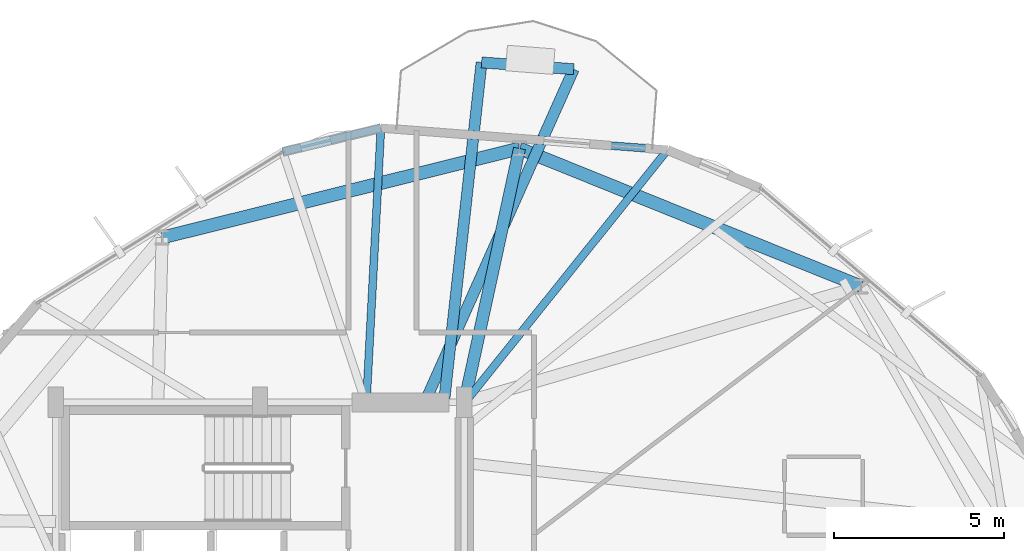
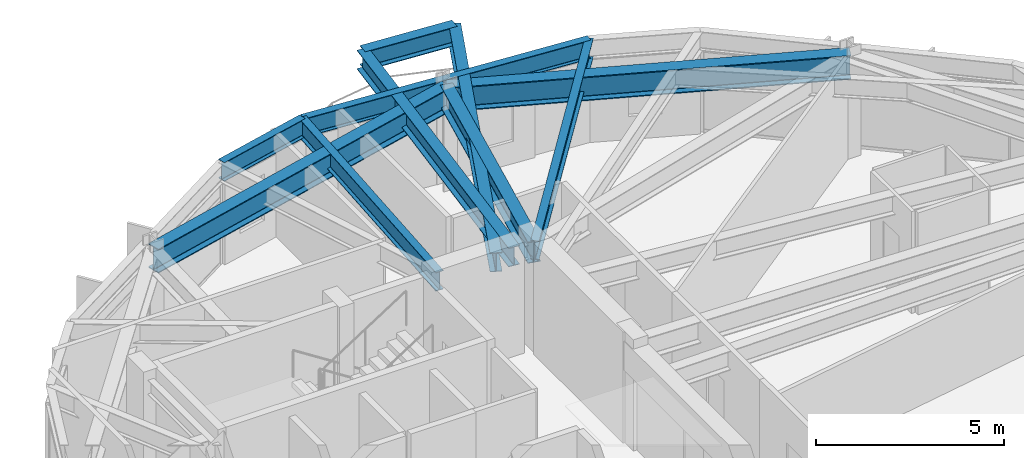
# One storey, part 12 of 21: 10 beams.
"""IFC4 building model written with IfcOpenShell, lengths in metres."""

import ifcopenshell
import ifcopenshell.guid

model = None  # the IFC model being written
_history = None  # IfcOwnerHistory: only IFC2X3 demands one
_inside = {}  # id of a spatial element -> (the spatial element, [elements in it])
_under = {}  # id of a project, library or spatial element -> (it, [spatial elements below it])
_declared = {}  # id of a project -> (the project, [libraries it declares])
_typed = {}  # id of a type object -> (the type object, [elements of that type])
_made_of = {}  # id of a material, layer set ... -> (it, [elements and type objects made of it])


def new_model(schema):
    """Start an empty IFC model of exactly this schema.

    Asked for "IFC4X3", IfcOpenShell would pick the latest addendum, in which some entities
    have other attributes; the version numbers below select the first issue.
    IFC2X3 requires an IfcOwnerHistory on every rooted entity: one is made here for all.
    """
    global model, _history
    if schema == "IFC4X3":
        model = ifcopenshell.file(schema_version=(4, 3, 0, 0))
    else:
        model = ifcopenshell.file(schema=schema)
    _inside.clear()
    _under.clear()
    _declared.clear()
    _typed.clear()
    _made_of.clear()
    _history = None
    if model.schema == "IFC2X3":
        org = make("IfcOrganization", Name="unknown")
        user = make(
            "IfcPersonAndOrganization",
            ThePerson=make("IfcPerson", FamilyName="unknown"),
            TheOrganization=org,
        )
        app = make(
            "IfcApplication",
            ApplicationDeveloper=org,
            Version="unknown",
            ApplicationFullName="unknown",
            ApplicationIdentifier="unknown",
        )
        _history = make(
            "IfcOwnerHistory",
            OwningUser=user,
            OwningApplication=app,
            ChangeAction="ADDED",
            CreationDate=0,
        )
    return model


def make(cls, **values):
    """One entity of the class cls with the attributes given. An attribute that is None is left unset."""
    return model.create_entity(
        cls, **{name: value for name, value in values.items() if value is not None}
    )


def rooted(cls, **values):
    """An entity with a GlobalId (a new one), such as an element, a storey or a relation."""
    return make(cls, GlobalId=ifcopenshell.guid.new(), OwnerHistory=_history, **values)


def si_unit(unit_type, name, prefix=None):
    """IfcSIUnit, for example si_unit("LENGTHUNIT", "METRE", prefix="MILLI")."""
    return make("IfcSIUnit", UnitType=unit_type, Prefix=prefix, Name=name)


def assignment(units):
    """IfcUnitAssignment: the units of a project."""
    return None if units is None else make("IfcUnitAssignment", Units=units)


def point(xyz):
    """IfcCartesianPoint."""
    return None if xyz is None else make("IfcCartesianPoint", Coordinates=xyz)


def direction(xyz):
    """IfcDirection."""
    return None if xyz is None else make("IfcDirection", DirectionRatios=xyz)


def frame(location, z_axis=None, x_axis=None):
    """IfcAxis2Placement3D, a coordinate frame: its origin and axes. An axis left out is left unset."""
    return make(
        "IfcAxis2Placement3D",
        Location=point(location),
        Axis=direction(z_axis),
        RefDirection=direction(x_axis),
    )


def frame_2d(location, x_axis=None):
    """IfcAxis2Placement2D, a coordinate frame in the plane: its origin and x axis."""
    return make(
        "IfcAxis2Placement2D", Location=point(location), RefDirection=direction(x_axis)
    )


def origin():
    """The frame at (0, 0, 0) with its axes left unset."""
    return frame((0.0, 0.0, 0.0))


def origin_2d():
    """The frame at (0, 0) in the plane with its x axis left unset."""
    return frame_2d((0.0, 0.0))


def place(relative_to, where):
    """IfcLocalPlacement: puts the frame where relative to a parent placement (None: the world)."""
    return make(
        "IfcLocalPlacement", PlacementRelTo=relative_to, RelativePlacement=where
    )


def context(
    kind, dimensions, precision=None, world=None, true_north=None, identifier=None
):
    """IfcGeometricRepresentationContext, for example the 3D "Model" context."""
    return make(
        "IfcGeometricRepresentationContext",
        ContextIdentifier=identifier,
        ContextType=kind,
        CoordinateSpaceDimension=dimensions,
        Precision=precision,
        WorldCoordinateSystem=world,
        TrueNorth=true_north,
    )


def subcontext(parent, identifier, kind, view, scale=None):
    """IfcGeometricRepresentationSubContext, for example "Body" below "Model"."""
    return make(
        "IfcGeometricRepresentationSubContext",
        ContextIdentifier=identifier,
        ContextType=kind,
        ParentContext=parent,
        TargetScale=scale,
        TargetView=view,
    )


def project(units=None, contexts=None):
    """IfcProject with its units and contexts."""
    return rooted(
        "IfcProject",
        Name="project",
        RepresentationContexts=contexts,
        UnitsInContext=assignment(units),
    )


def spatial(cls, under=None, at=None, **own):
    """A site, building, storey or space (cls), placed at a placement, below another one or the project."""
    s = rooted(cls, ObjectPlacement=at, **own)
    if under is not None:
        _under.setdefault(under.id(), (under, []))[1].append(s)
    return s


def profile(cls, at=None, kind="AREA", **sizes):
    """A parametric profile (cls). Its sizes go by their IFC names, for example OverallWidth=200.0."""
    return make(cls, ProfileType=kind, Position=at, **sizes)


def i_section(**sizes):
    """IfcIShapeProfileDef."""
    return profile("IfcIShapeProfileDef", **sizes)


def extrude(swept, where, along, depth):
    """IfcExtrudedAreaSolid: the profile swept, set in the frame where, extruded along a direction by depth."""
    return make(
        "IfcExtrudedAreaSolid",
        SweptArea=swept,
        Position=where,
        ExtrudedDirection=direction(along),
        Depth=depth,
    )


def shape(context_of_items, identifier, shape_type, items):
    """IfcShapeRepresentation: the items that make up one representation, for example the "Body"."""
    return make(
        "IfcShapeRepresentation",
        ContextOfItems=context_of_items,
        RepresentationIdentifier=identifier,
        RepresentationType=shape_type,
        Items=items,
    )


def material(Name=None, Category=None):
    """IfcMaterial."""
    return make("IfcMaterial", Name=Name, Category=Category)


def material_profile(
    of_material, cross_section, Name=None, Category=None, Priority=None
):
    """IfcMaterialProfile: a cross section and its material."""
    return make(
        "IfcMaterialProfile",
        Name=Name,
        Material=of_material,
        Profile=cross_section,
        Priority=Priority,
        Category=Category,
    )


def profile_set(profiles, Name=None, composite=None):
    """IfcMaterialProfileSet."""
    return make(
        "IfcMaterialProfileSet",
        Name=Name,
        MaterialProfiles=profiles,
        CompositeProfile=composite,
    )


def made_of(thing, what):
    """Note that an element or type object is made of a material, layer set ...; save() writes the relation."""
    if what is not None:
        _made_of.setdefault(what.id(), (what, []))[1].append(thing)
    return thing


def type_object(cls, material=None, **own):
    """A type object (cls), such as IfcWallType, which elements share."""
    return made_of(rooted(cls, **own), material)


def element(
    cls,
    number,
    at=None,
    inside=None,
    cuts=None,
    type_object=None,
    material=None,
    context=None,
    identifier="Body",
    shape_type=None,
    held_by="IfcProductDefinitionShape",
    body=None,
    shapes=None,
    **own,
):
    """One element of the class cls, such as IfcWall. Its Tag is "e" and its number.

    at: its placement. inside: the storey or other place that contains it. cuts: it is an
    opening in that element (IfcRelVoidsElement). A single representation is given by context,
    identifier, shape_type and body (its items); several are given by shapes. held_by: the class
    of the entity that holds the representations. save() writes the other relations.
    """
    e = rooted(cls, Tag="e%d" % number, ObjectPlacement=at, **own)
    if body is not None:
        shapes = [shape(context, identifier, shape_type, body)]
    if shapes is not None:
        e.Representation = make(held_by, Representations=shapes)
    if inside is not None:
        _inside.setdefault(inside.id(), (inside, []))[1].append(e)
    if cuts is not None:
        rooted(
            "IfcRelVoidsElement", RelatingBuildingElement=cuts, RelatedOpeningElement=e
        )
    if type_object is not None:
        _typed.setdefault(type_object.id(), (type_object, []))[1].append(e)
    return made_of(e, material)


def aggregate(whole, parts):
    """IfcRelAggregates: a whole, such as a stair, and the parts it consists of."""
    return rooted("IfcRelAggregates", RelatingObject=whole, RelatedObjects=parts)


def save(model, path):
    """Write the relations noted so far, then the file.

    IfcRelAggregates (storeys below a building ...), IfcRelContainedInSpatialStructure (elements
    in a storey), IfcRelDefinesByType, IfcRelAssociatesMaterial and IfcRelDeclares: one each for
    every whole, place, type object, material and project.
    """
    for whole, parts in _under.values():
        aggregate(whole, parts)
    for where, things in _inside.values():
        rooted(
            "IfcRelContainedInSpatialStructure",
            RelatedElements=things,
            RelatingStructure=where,
        )
    for kind, things in _typed.values():
        rooted("IfcRelDefinesByType", RelatedObjects=things, RelatingType=kind)
    for what, things in _made_of.values():
        rooted("IfcRelAssociatesMaterial", RelatedObjects=things, RelatingMaterial=what)
    for by, libraries in _declared.values():
        rooted("IfcRelDeclares", RelatingContext=by, RelatedDefinitions=libraries)
    model.write(path)


model = new_model("IFC4")

# Units and contexts
model_context = context("Model", 3, precision=1e-05, world=origin(), true_north=direction((0.0, 1.0)))
body_context = subcontext(model_context, "Body", "Model", "MODEL_VIEW")
ifc_project = project(units=[si_unit("LENGTHUNIT", "METRE"), si_unit("AREAUNIT", "SQUARE_METRE"), si_unit("VOLUMEUNIT", "CUBIC_METRE"), si_unit("PLANEANGLEUNIT", "RADIAN"), si_unit("MASSUNIT", "GRAM", prefix="KILO")], contexts=[model_context])

# Site, building, storey
site_placement = place(None, origin())
site = spatial("IfcSite", under=ifc_project, at=site_placement, CompositionType="ELEMENT")
building_placement = place(site_placement, origin())
building = spatial("IfcBuilding", under=site, at=building_placement, Name="Soratama Intermodal Tower", CompositionType="ELEMENT")
storey_placement = place(building_placement, frame((0.0, 0.0, 149.800048828125)))
storey = spatial("IfcBuildingStorey", under=building, at=storey_placement, Name="L36", CompositionType="ELEMENT", Elevation=149.800048828125)

# Beams
ifc_material_1 = material(Name="Structural steel ASTM A992 Grade 50", Category="steel")
ifc_material_profile_1 = material_profile(ifc_material_1, i_section(OverallWidth=0.324951171875, OverallDepth=0.615966796875, WebThickness=0.013916015625, FlangeThickness=0.021484375, FilletRadius=0.013916015625, at=origin_2d()), Name="W24X117")
ifc_profile_set_1 = profile_set([ifc_material_profile_1], Name="Structural steel ASTM A992 Grade 50")
beam_type_1 = type_object("IfcBeamType", Name="BM-CANT-W24X117", PredefinedType="BEAM", material=ifc_profile_set_1)
beam_1_placement = place(storey_placement, frame((47.81396484375, 44.784912109375, 2.991943359375), z_axis=(-0.997309559659, 0.073305130873, 0.0), x_axis=(-0.073305130873, -0.997309559659, 0.0)))
element("IfcBeam", 1, at=beam_1_placement, inside=storey, type_object=beam_type_1, Name="BM-L36-CBHDR-2", PredefinedType="BEAM", context=body_context, shape_type="SweptSolid", body=[
    extrude(i_section(OverallWidth=0.324951171875, OverallDepth=0.615966796875, WebThickness=0.013916015625, FlangeThickness=0.021484375, FilletRadius=0.013916015625, at=origin_2d()), origin(), (0.0, 0.0, 1.0), 2.71435546875),
])
beam_2_placement = place(storey_placement, frame((43.4541015625, 35.037109375, 2.991943359375), z_axis=(0.408288353231, 0.912853011506, 0.0), x_axis=(-0.912853011506, 0.408288353231, 0.0)))
element("IfcBeam", 2, at=beam_2_placement, inside=storey, type_object=beam_type_1, Name="BM-L36-CANT-2-1", PredefinedType="BEAM", context=body_context, shape_type="SweptSolid", body=[
    extrude(i_section(OverallWidth=0.324951171875, OverallDepth=0.615966796875, WebThickness=0.013916015625, FlangeThickness=0.021484375, FilletRadius=0.013916015625, at=origin_2d()), origin(), (0.0, 0.0, 1.0), 10.678466796875),
])
beam_3_placement = place(storey_placement, frame((44.008056640625, 35.0400390625, 2.991943359375), z_axis=(0.109839575925, 0.993949328467, 0.0), x_axis=(-0.993949328467, 0.109839575925, 0.0)))
element("IfcBeam", 3, at=beam_3_placement, inside=storey, type_object=beam_type_1, Name="BM-L36-CANT-2-2", PredefinedType="BEAM", context=body_context, shape_type="SweptSolid", body=[
    extrude(i_section(OverallWidth=0.324951171875, OverallDepth=0.615966796875, WebThickness=0.013916015625, FlangeThickness=0.021484375, FilletRadius=0.013916015625, at=origin_2d()), origin(), (0.0, 0.0, 1.0), 10.00439453125),
])
ifc_material_2 = material(Name="Structural steel ASTM A992 Grade 50", Category="steel")
ifc_material_profile_2 = material_profile(ifc_material_2, i_section(OverallWidth=0.35498046875, OverallDepth=0.695068359375, WebThickness=0.015380859375, FlangeThickness=0.02490234375, FilletRadius=0.01611328125, at=origin_2d()), Name="W27X146")
ifc_profile_set_2 = profile_set([ifc_material_profile_2], Name="Structural steel ASTM A992 Grade 50")
beam_type_2 = type_object("IfcBeamType", Name="BM-RING-W27X146", PredefinedType="BEAM", material=ifc_profile_set_2)
beam_4_placement = place(storey_placement, frame((44.60009765625, 35.0, 2.952392578125), z_axis=(0.212399095304, 0.977183004515, 0.0), x_axis=(-0.977183004515, 0.212399095304, 0.0)))
element("IfcBeam", 4, at=beam_4_placement, inside=storey, type_object=beam_type_2, Name="BM-L36-RAD-03", PredefinedType="BEAM", context=body_context, shape_type="SweptSolid", body=[
    extrude(i_section(OverallWidth=0.35498046875, OverallDepth=0.695068359375, WebThickness=0.015380859375, FlangeThickness=0.02490234375, FilletRadius=0.01611328125, at=origin_2d()), origin(), (0.0, 0.0, 1.0), 7.631103515625),
])
ifc_material_3 = material(Name="Structural steel ASTM A992 Grade 50", Category="steel")
ifc_material_profile_3 = material_profile(ifc_material_3, i_section(OverallWidth=0.382080078125, OverallDepth=0.779052734375, WebThickness=0.01806640625, FlangeThickness=0.030029296875, FilletRadius=0.01806640625, at=origin_2d()), Name="W30X191")
ifc_profile_set_3 = profile_set([ifc_material_profile_3], Name="Structural steel ASTM A992 Grade 50")
beam_type_3 = type_object("IfcBeamType", Name="BM-RING-W30X191", PredefinedType="BEAM", material=ifc_profile_set_3)
beam_5_placement = place(storey_placement, frame((56.2490234375, 38.406005859375, 2.910400390625), z_axis=(-0.927202491827, 0.374560461275, 0.0), x_axis=(-0.374560461275, -0.927202491827, 0.0)))
element("IfcBeam", 5, at=beam_5_placement, inside=storey, type_object=beam_type_3, Name="BM-L36-RING-02", PredefinedType="BEAM", context=body_context, shape_type="SweptSolid", body=[
    extrude(i_section(OverallWidth=0.382080078125, OverallDepth=0.779052734375, WebThickness=0.01806640625, FlangeThickness=0.030029296875, FilletRadius=0.01806640625, at=origin_2d()), origin(), (0.0, 0.0, 1.0), 10.8154296875),
])
beam_6_placement = place(storey_placement, frame((46.220947265625, 42.45703125, 2.910400390625), z_axis=(-0.970310893227, -0.241861056155, 0.0), x_axis=(0.241861056155, -0.970310893227, 0.0)))
element("IfcBeam", 6, at=beam_6_placement, inside=storey, type_object=beam_type_3, Name="BM-L36-RING-03", PredefinedType="BEAM", context=body_context, shape_type="SweptSolid", body=[
    extrude(i_section(OverallWidth=0.382080078125, OverallDepth=0.779052734375, WebThickness=0.01806640625, FlangeThickness=0.030029296875, FilletRadius=0.01806640625, at=origin_2d()), origin(), (0.0, 0.0, 1.0), 10.81591796875),
])
ifc_material_4 = material(Name="Structural steel ASTM A992 Grade 50", Category="steel")
ifc_material_profile_4 = material_profile(ifc_material_4, i_section(OverallWidth=0.22900390625, OverallDepth=0.612060546875, WebThickness=0.011962890625, FlangeThickness=0.01953125, FilletRadius=0.012939453125, at=origin_2d()), Name="W24X84")
ifc_profile_set_4 = profile_set([ifc_material_profile_4], Name="Structural steel ASTM A992 Grade 50")
beam_type_4 = type_object("IfcBeamType", Name="BM-SPN-W24X84", PredefinedType="SPANDREL", material=ifc_profile_set_4)
beam_7_placement = place(storey_placement, frame((50.56591796875, 42.4140625, 2.993896484375), z_axis=(-0.997075208757, 0.076426618937, 0.0), x_axis=(-0.076426618937, -0.997075208757, 0.0)))
element("IfcBeam", 7, at=beam_7_placement, inside=storey, type_object=beam_type_4, Name="BS-L36-F02", PredefinedType="SPANDREL", context=body_context, shape_type="SweptSolid", body=[
    extrude(i_section(OverallWidth=0.22900390625, OverallDepth=0.612060546875, WebThickness=0.011962890625, FlangeThickness=0.01953125, FilletRadius=0.012939453125, at=origin_2d()), origin(), (0.0, 0.0, 1.0), 8.439697265625),
])
beam_8_placement = place(storey_placement, frame((42.15087890625, 43.05908203125, 2.993896484375), z_axis=(-0.971859809736, -0.235559992827, 0.0), x_axis=(0.235559992827, -0.971859809736, 0.0)))
element("IfcBeam", 8, at=beam_8_placement, inside=storey, type_object=beam_type_4, Name="BS-L36-CRN02", PredefinedType="SPANDREL", context=body_context, shape_type="SweptSolid", body=[
    extrude(i_section(OverallWidth=0.22900390625, OverallDepth=0.612060546875, WebThickness=0.011962890625, FlangeThickness=0.01953125, FilletRadius=0.012939453125, at=origin_2d()), origin(), (0.0, 0.0, 1.0), 2.96728515625),
])
ifc_material_5 = material(Name="Structural steel ASTM A992 Grade 50", Category="steel")
ifc_material_profile_5 = material_profile(ifc_material_5, i_section(OverallWidth=0.22900390625, OverallDepth=0.612060546875, WebThickness=0.011962890625, FlangeThickness=0.01953125, FilletRadius=0.012939453125, at=origin_2d()), Name="W24X84")
ifc_profile_set_5 = profile_set([ifc_material_profile_5], Name="Structural steel ASTM A992 Grade 50")
beam_type_5 = type_object("IfcBeamType", Name="BM-TIE-W24X84", PredefinedType="BEAM", material=ifc_profile_set_5)
beam_9_placement = place(storey_placement, frame((44.625, 35.0048828125, 2.993896484375), z_axis=(0.625566205265, 0.780171085616, 0.0), x_axis=(-0.780171085616, 0.625566205265, 0.0)))
element("IfcBeam", 9, at=beam_9_placement, inside=storey, type_object=beam_type_5, Name="BM-L36-TIE0-02", PredefinedType="BEAM", context=body_context, shape_type="SweptSolid", body=[
    extrude(i_section(OverallWidth=0.22900390625, OverallDepth=0.612060546875, WebThickness=0.011962890625, FlangeThickness=0.01953125, FilletRadius=0.012939453125, at=origin_2d()), origin(), (0.0, 0.0, 1.0), 9.496826171875),
])
beam_10_placement = place(storey_placement, frame((41.72607421875, 35.0400390625, 2.993896484375), z_axis=(0.052900312028, 0.998599798211, 0.0), x_axis=(-0.998599798211, 0.052900312028, 0.0)))
element("IfcBeam", 10, at=beam_10_placement, inside=storey, type_object=beam_type_5, Name="BM-L36-TIE1-02", PredefinedType="BEAM", context=body_context, shape_type="SweptSolid", body=[
    extrude(i_section(OverallWidth=0.22900390625, OverallDepth=0.612060546875, WebThickness=0.011962890625, FlangeThickness=0.01953125, FilletRadius=0.012939453125, at=origin_2d()), origin(), (0.0, 0.0, 1.0), 8.0302734375),
])

save(model, "model.ifc")
